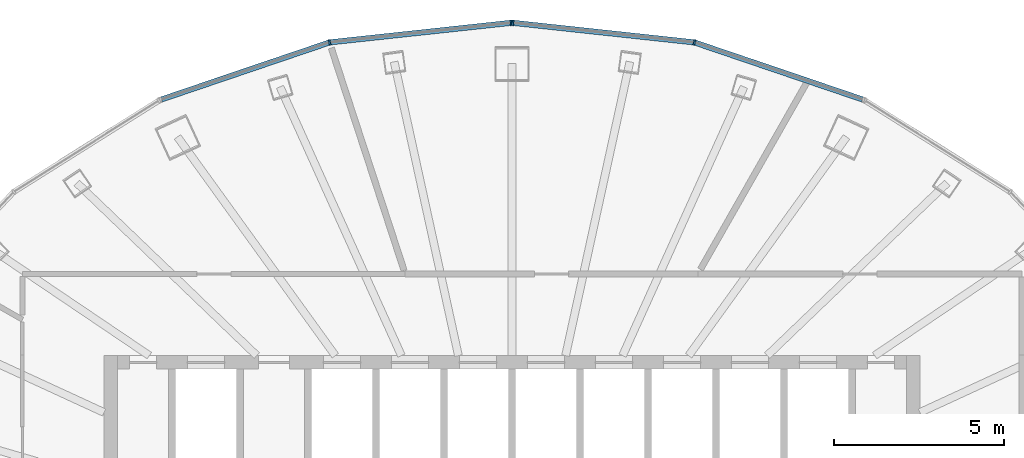
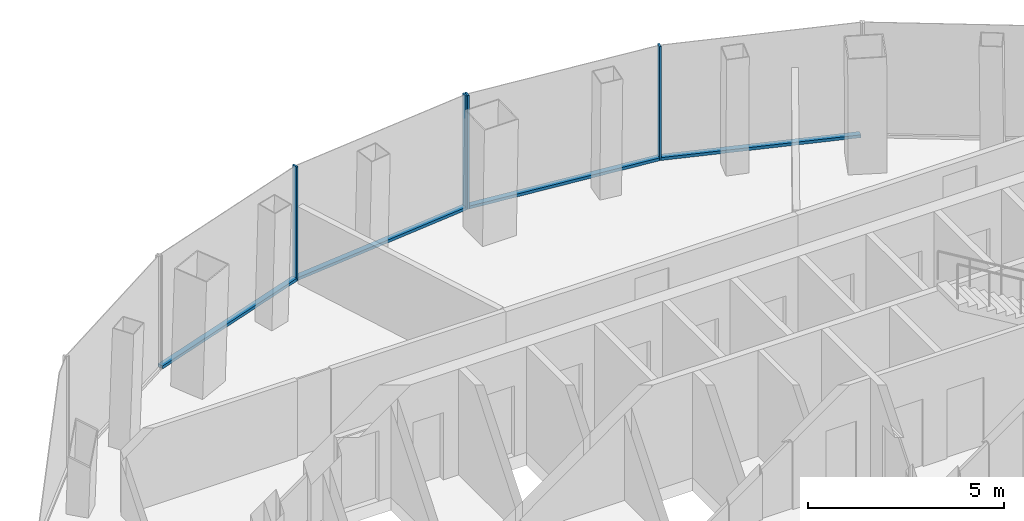
# One storey, part 6 of 11: 8 members, 2 elements without a shape of their own.
"""IFC4 building model written with IfcOpenShell, lengths in metres."""

from ifc_helpers import new_model, si_unit, direction, frame, origin, origin_2d, place, context, subcontext, project, spatial, rectangle, extrude, material, layer, layer_set, material_profile, profile_set, type_object, element, aggregate, save


model = new_model("IFC4")

# Units and contexts
model_context = context("Model", 3, precision=1e-05, world=origin(), true_north=direction((0.0, 1.0)))
body_context = subcontext(model_context, "Body", "Model", "MODEL_VIEW")
ifc_project = project(units=[si_unit("LENGTHUNIT", "METRE"), si_unit("AREAUNIT", "SQUARE_METRE"), si_unit("VOLUMEUNIT", "CUBIC_METRE"), si_unit("PLANEANGLEUNIT", "RADIAN"), si_unit("MASSUNIT", "GRAM", prefix="KILO")], contexts=[model_context])

# Site, building, storey
site_placement = place(None, origin())
site = spatial("IfcSite", under=ifc_project, at=site_placement, CompositionType="ELEMENT")
building_placement = place(site_placement, origin())
building = spatial("IfcBuilding", under=site, at=building_placement, Name="Siaravel Broadcast Tower", CompositionType="ELEMENT")
storey_placement = place(building_placement, frame((0.0, 0.0, 257.800048828125)))
storey = spatial("IfcBuildingStorey", under=building, at=storey_placement, Name="L63", CompositionType="ELEMENT", Elevation=257.800048828125)

# Curtain wall, members
ifc_material = material(Name="Aluminium 6063-T6", Category="aluminium")
ifc_layer = layer(ifc_material, 0.159912109375)
ifc_layer_set = layer_set([ifc_layer], Name="Aluminium 6063-T6")
curtain_wall_type = type_object("IfcCurtainWallType", Name="Unitised curtain wall, zone 4", PredefinedType="NOTDEFINED", material=ifc_layer_set)
curtain_wall_1_placement = place(storey_placement, origin())
curtain_wall_1 = element("IfcCurtainWall", 1, at=curtain_wall_1_placement, inside=storey, type_object=curtain_wall_type, Name="L63 Unitised curtain wall, zone 4 03", PredefinedType="NOTDEFINED")
ifc_material_profile_1 = material_profile(ifc_material, rectangle(XDim=0.159912109375, YDim=0.054931640625, at=origin_2d()))
ifc_profile_set_1 = profile_set([ifc_material_profile_1], Name="Aluminium 6063-T6")
member_type_1 = type_object("IfcMemberType", Name="CW-Z4 mullion", PredefinedType="MULLION", material=ifc_profile_set_1)
member_1_placement = place(storey_placement, frame((5.364013671875, 16.413818359375, 0.0), z_axis=(0.0, 0.0, 1.0), x_axis=(-0.215558728, -0.976490878, 0.0)))
member_1 = element("IfcMember", 2, at=member_1_placement, type_object=member_type_1, Name="CW-Z4 mullion 2", PredefinedType="MULLION", context=body_context, shape_type="SweptSolid", body=[
    extrude(rectangle(XDim=0.159912109375, YDim=0.054931640625, at=origin_2d()), origin(), (0.0, 0.0, 1.0), 3.550048828125),
])
member_2_placement = place(storey_placement, frame((0.02734375, 16.9892578125, 0.0), z_axis=(0.0, 0.0, 1.0), x_axis=(-0.107217823, -0.994235555, 0.0)))
member_2 = element("IfcMember", 3, at=member_2_placement, type_object=member_type_1, Name="CW-Z4 mullion 3", PredefinedType="MULLION", context=body_context, shape_type="SweptSolid", body=[
    extrude(rectangle(XDim=0.159912109375, YDim=0.054931640625, at=origin_2d()), origin(), (0.0, 0.0, 1.0), 3.550048828125),
])

curtain_wall_2_placement = place(storey_placement, origin())
curtain_wall_2 = element("IfcCurtainWall", 4, at=curtain_wall_2_placement, inside=storey, type_object=curtain_wall_type, Name="L63 Unitised curtain wall, zone 4 04", PredefinedType="NOTDEFINED")
member_3_placement = place(storey_placement, frame((-0.02734375, 16.9892578125, 0.0), z_axis=(0.0, 0.0, 1.0), x_axis=(0.107217823, -0.994235555, 0.0)))
member_3 = element("IfcMember", 5, at=member_3_placement, type_object=member_type_1, Name="CW-Z4 mullion 1", PredefinedType="MULLION", context=body_context, shape_type="SweptSolid", body=[
    extrude(rectangle(XDim=0.159912109375, YDim=0.054931640625, at=origin_2d()), origin(), (0.0, 0.0, 1.0), 3.550048828125),
])
member_4_placement = place(storey_placement, frame((-5.364013671875, 16.413818359375, 0.0), z_axis=(0.0, 0.0, 1.0), x_axis=(0.215558728, -0.976490878, 0.0)))
member_4 = element("IfcMember", 6, at=member_4_placement, type_object=member_type_1, Name="CW-Z4 mullion 2", PredefinedType="MULLION", context=body_context, shape_type="SweptSolid", body=[
    extrude(rectangle(XDim=0.159912109375, YDim=0.054931640625, at=origin_2d()), origin(), (0.0, 0.0, 1.0), 3.550048828125),
])

# Member
ifc_material_profile_2 = material_profile(ifc_material, rectangle(XDim=0.159912109375, YDim=0.090087890625, at=origin_2d()))
ifc_profile_set_2 = profile_set([ifc_material_profile_2], Name="Aluminium 6063-T6")
member_type_2 = type_object("IfcMemberType", Name="CW-Z4 transom", PredefinedType="USERDEFINED", material=ifc_profile_set_2)
member_5_placement = place(storey_placement, frame((10.31103515625, 14.735107421875, 0.044921875), z_axis=(-0.946973595, 0.321311392, 0.0), x_axis=(-0.321311392, -0.946973595, 0.0)))
member_5 = element("IfcMember", 7, at=member_5_placement, type_object=member_type_2, Name="CW-Z4 transom 1", ObjectType="TRANSOM", PredefinedType="USERDEFINED", context=body_context, shape_type="SweptSolid", body=[
    extrude(rectangle(XDim=0.159912109375, YDim=0.090087890625, at=origin_2d()), origin(), (0.0, 0.0, 1.0), 5.196533203125),
])

member_6_placement = place(storey_placement, frame((5.336669921875, 16.416748046875, 0.044921875), z_axis=(-0.994236077, 0.107212978, 0.0), x_axis=(-0.107212978, -0.994236077, 0.0)))
member_6 = element("IfcMember", 8, at=member_6_placement, type_object=member_type_2, Name="CW-Z4 transom 2", ObjectType="TRANSOM", PredefinedType="USERDEFINED", context=body_context, shape_type="SweptSolid", body=[
    extrude(rectangle(XDim=0.159912109375, YDim=0.090087890625, at=origin_2d()), origin(), (0.0, 0.0, 1.0), 5.3125),
])

aggregate(curtain_wall_1, [member_1, member_2, member_5, member_6])

member_7_placement = place(storey_placement, frame((-0.0546875, 16.986328125, 0.044921875), z_axis=(-0.994236077, -0.107212978, 0.0), x_axis=(0.107212978, -0.994236077, 0.0)))
member_7 = element("IfcMember", 9, at=member_7_placement, type_object=member_type_2, Name="CW-Z4 transom 1", ObjectType="TRANSOM", PredefinedType="USERDEFINED", context=body_context, shape_type="SweptSolid", body=[
    extrude(rectangle(XDim=0.159912109375, YDim=0.090087890625, at=origin_2d()), origin(), (0.0, 0.0, 1.0), 5.3125),
])

member_8_placement = place(storey_placement, frame((-5.39013671875, 16.40478515625, 0.044921875), z_axis=(-0.946973595, -0.321311392, 0.0), x_axis=(0.321311392, -0.946973595, 0.0)))
member_8 = element("IfcMember", 10, at=member_8_placement, type_object=member_type_2, Name="CW-Z4 transom 2", ObjectType="TRANSOM", PredefinedType="USERDEFINED", context=body_context, shape_type="SweptSolid", body=[
    extrude(rectangle(XDim=0.159912109375, YDim=0.090087890625, at=origin_2d()), origin(), (0.0, 0.0, 1.0), 5.196533203125),
])

aggregate(curtain_wall_2, [member_3, member_4, member_7, member_8])

save(model, "model.ifc")
